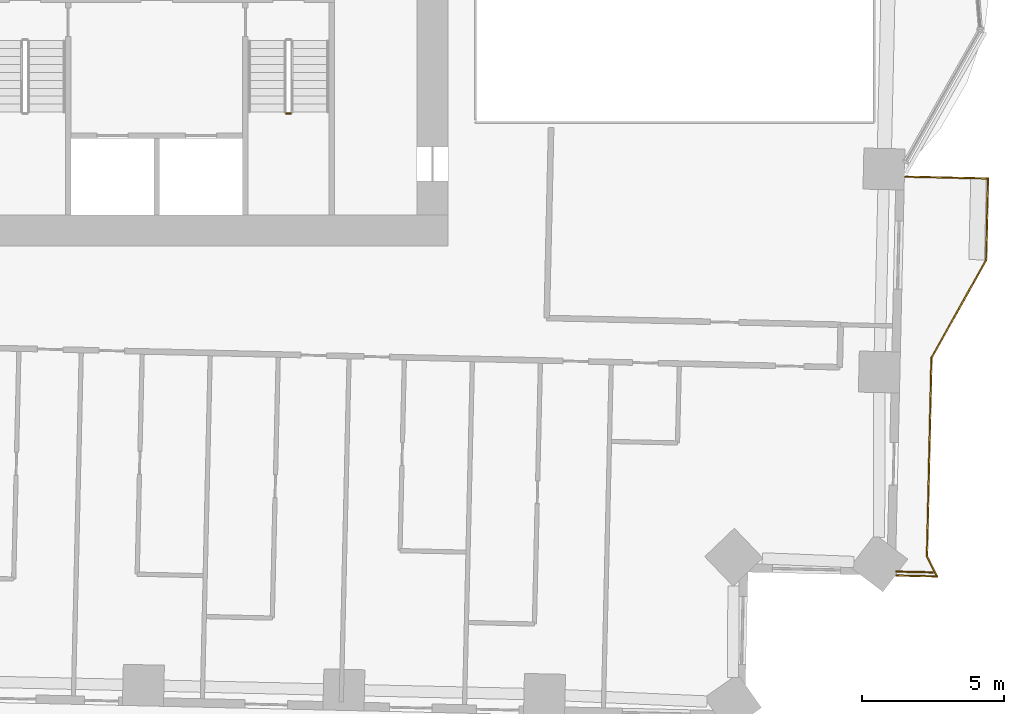
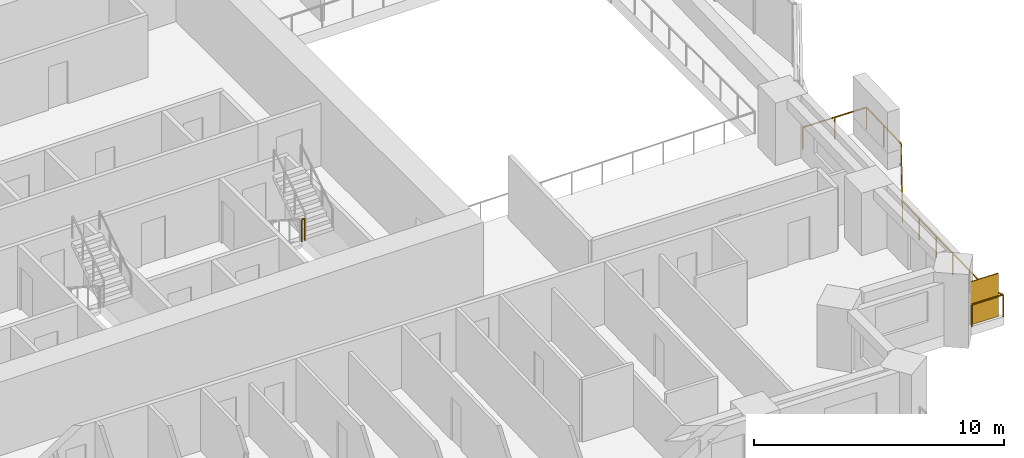
# One storey, part 16 of 18: 2 railings, 1 shading device.
"""IFC4 building model written with IfcOpenShell, lengths in metres."""

from ifc_helpers import new_model, si_unit, direction, frame, origin, origin_2d, place, context, subcontext, project, spatial, rectangle, extrude, material, type_object, element, save


model = new_model("IFC4")

# Units and contexts
model_context = context("Model", 3, precision=1e-05, world=origin(), true_north=direction((0.0, 1.0)))
body_context = subcontext(model_context, "Body", "Model", "MODEL_VIEW")
ifc_project = project(units=[si_unit("LENGTHUNIT", "METRE"), si_unit("AREAUNIT", "SQUARE_METRE"), si_unit("VOLUMEUNIT", "CUBIC_METRE"), si_unit("PLANEANGLEUNIT", "RADIAN"), si_unit("MASSUNIT", "GRAM", prefix="KILO")], contexts=[model_context])

# Site, building, storey
site_placement = place(None, origin())
site = spatial("IfcSite", under=ifc_project, at=site_placement, CompositionType="ELEMENT")
building_placement = place(site_placement, origin())
building = spatial("IfcBuilding", under=site, at=building_placement, Name="Mangrove Gate Tower", CompositionType="ELEMENT")
storey_placement = place(building_placement, frame((0.0, 0.0, 67.5)))
storey = spatial("IfcBuildingStorey", under=building, at=storey_placement, Name="L16", CompositionType="ELEMENT", Elevation=67.5)

# Railing
ifc_material_1 = material(Name="Stainless steel grade 316 with laminated glass infill", Category="steel")
railing_type_1 = type_object("IfcRailingType", Name="Balcony guard 1100", PredefinedType="GUARDRAIL", material=ifc_material_1)
railing_1_placement = place(storey_placement, frame((30.718994140625, -23.51611328125, 0.0)))
element("IfcRailing", 1, at=railing_1_placement, inside=storey, type_object=railing_type_1, Name="GUARD L16 E1", PredefinedType="GUARDRAIL", context=body_context, shape_type="SweptSolid", body=[
    extrude(rectangle(XDim=0.048095703125, YDim=0.048095703125, at=origin_2d()), frame((0.0, 0.0, 1.076171875), z_axis=(0.999734469698, -0.023043222368, 0.0), x_axis=(0.023043222368, 0.999734469698, 0.0)), (0.0, 0.0, 1.0), 1.430419921875),
    extrude(rectangle(XDim=0.048095703125, YDim=0.048095703125, at=origin_2d()), frame((1.429931640625, -0.032958984375, 1.076171875), z_axis=(-0.446720594514, 0.894673521703, 0.0), x_axis=(-0.894673521703, -0.446720594514, 0.0)), (0.0, 0.0, 1.0), 0.79248046875),
    extrude(rectangle(XDim=0.048095703125, YDim=0.048095703125, at=origin_2d()), frame((1.075927734375, 0.676025390625, 1.076171875), z_axis=(0.022740419861, 0.999741403216, 0.0), x_axis=(-0.999741403216, 0.022740419861, 0.0)), (0.0, 0.0, 1.0), 6.999755859375),
    extrude(rectangle(XDim=0.048095703125, YDim=0.048095703125, at=origin_2d()), frame((1.235107421875, 7.674072265625, 1.076171875), z_axis=(0.48726008209, 0.87325689943, 0.0), x_axis=(-0.87325689943, 0.48726008209, 0.0)), (0.0, 0.0, 1.0), 3.958740234375),
    extrude(rectangle(XDim=0.048095703125, YDim=0.048095703125, at=origin_2d()), frame((3.1640625, 11.131103515625, 1.076171875), z_axis=(0.022590224177, 0.999744808324, 0.0), x_axis=(-0.999744808324, 0.022590224177, 0.0)), (0.0, 0.0, 1.0), 2.874755859375),
    extrude(rectangle(XDim=0.048095703125, YDim=0.048095703125, at=origin_2d()), frame((3.22900390625, 14.005126953125, 1.076171875), z_axis=(-0.999743349437, 0.022654696127, 0.0), x_axis=(-0.022654696127, -0.999743349437, 0.0)), (0.0, 0.0, 1.0), 2.90966796875),
    extrude(rectangle(XDim=0.0419921875, YDim=0.0419921875, at=origin_2d()), origin(), (0.0, 0.0, 1.0), 1.052001953125),
    extrude(rectangle(XDim=0.0419921875, YDim=0.0419921875, at=origin_2d()), frame((1.429931640625, -0.032958984375, 0.0)), (0.0, 0.0, 1.0), 1.052001953125),
    extrude(rectangle(XDim=0.0419921875, YDim=0.0419921875, at=origin_2d()), frame((1.075927734375, 0.676025390625, 0.0)), (0.0, 0.0, 1.0), 1.052001953125),
    extrude(rectangle(XDim=0.0419921875, YDim=0.0419921875, at=origin_2d()), frame((1.107666015625, 2.07568359375, 0.0)), (0.0, 0.0, 1.0), 1.052001953125),
    extrude(rectangle(XDim=0.0419921875, YDim=0.0419921875, at=origin_2d()), frame((1.1396484375, 3.475341796875, 0.0)), (0.0, 0.0, 1.0), 1.052001953125),
    extrude(rectangle(XDim=0.0419921875, YDim=0.0419921875, at=origin_2d()), frame((1.17138671875, 4.874755859375, 0.0)), (0.0, 0.0, 1.0), 1.052001953125),
    extrude(rectangle(XDim=0.0419921875, YDim=0.0419921875, at=origin_2d()), frame((1.203369140625, 6.2744140625, 0.0)), (0.0, 0.0, 1.0), 1.052001953125),
    extrude(rectangle(XDim=0.0419921875, YDim=0.0419921875, at=origin_2d()), frame((1.235107421875, 7.674072265625, 0.0)), (0.0, 0.0, 1.0), 1.052001953125),
    extrude(rectangle(XDim=0.0419921875, YDim=0.0419921875, at=origin_2d()), frame((1.878173828125, 8.826416015625, 0.0)), (0.0, 0.0, 1.0), 1.052001953125),
    extrude(rectangle(XDim=0.0419921875, YDim=0.0419921875, at=origin_2d()), frame((2.52099609375, 9.978759765625, 0.0)), (0.0, 0.0, 1.0), 1.052001953125),
    extrude(rectangle(XDim=0.0419921875, YDim=0.0419921875, at=origin_2d()), frame((3.1640625, 11.131103515625, 0.0)), (0.0, 0.0, 1.0), 1.052001953125),
    extrude(rectangle(XDim=0.0419921875, YDim=0.0419921875, at=origin_2d()), frame((3.196533203125, 12.568115234375, 0.0)), (0.0, 0.0, 1.0), 1.052001953125),
    extrude(rectangle(XDim=0.0419921875, YDim=0.0419921875, at=origin_2d()), frame((3.22900390625, 14.005126953125, 0.0)), (0.0, 0.0, 1.0), 1.052001953125),
    extrude(rectangle(XDim=0.0419921875, YDim=0.0419921875, at=origin_2d()), frame((1.7744140625, 14.0380859375, 0.0)), (0.0, 0.0, 1.0), 1.052001953125),
    extrude(rectangle(XDim=0.0419921875, YDim=0.0419921875, at=origin_2d()), frame((0.320068359375, 14.071044921875, 0.0)), (0.0, 0.0, 1.0), 1.052001953125),
])

# Shading device
ifc_material_2 = material(Name="Timber slat screen in teak", Category="wood")
shading_device_type = type_object("IfcShadingDeviceType", Name="Balcony screen 2100", PredefinedType="USERDEFINED", material=ifc_material_2)
shading_device_placement = place(storey_placement, frame((31.35693359375, -23.39111328125, 0.0), z_axis=(0.0, 0.0, 1.0), x_axis=(0.999731402821, -0.02317589725, 0.0)))
element("IfcShadingDevice", 2, at=shading_device_placement, inside=storey, type_object=shading_device_type, Name="SCREEN L16 E0", ObjectType="SCREEN", PredefinedType="USERDEFINED", context=body_context, shape_type="SweptSolid", body=[
    extrude(rectangle(XDim=1.31005859375, YDim=0.050048828125, at=origin_2d()), origin(), (0.0, 0.0, 1.0), 2.10009765625),
])

# Railing
ifc_material_3 = material(Name="Stainless steel 316", Category="steel")
railing_type_2 = type_object("IfcRailingType", Name="Core stair guard 1100", PredefinedType="GUARDRAIL", material=ifc_material_3)
railing_2_placement = place(storey_placement, frame((9.199951171875, -7.219970703125, 1.800048828125)))
element("IfcRailing", 3, at=railing_2_placement, inside=storey, type_object=railing_type_2, Name="L16 ST3 stair guard 2", PredefinedType="GUARDRAIL", context=body_context, shape_type="SweptSolid", body=[
    extrude(rectangle(XDim=0.048095703125, YDim=0.048095703125, at=origin_2d()), frame((0.0, 0.0, 1.076171875), z_axis=(1.0, 0.0, 0.0), x_axis=(0.0, 1.0, 0.0)), (0.0, 0.0, 1.0), 0.150146484375),
    extrude(rectangle(XDim=0.0419921875, YDim=0.0419921875, at=origin_2d()), origin(), (0.0, 0.0, 1.0), 1.052001953125),
    extrude(rectangle(XDim=0.0419921875, YDim=0.0419921875, at=origin_2d()), frame((0.150146484375, 0.0, 0.0)), (0.0, 0.0, 1.0), 1.052001953125),
])

save(model, "model.ifc")
